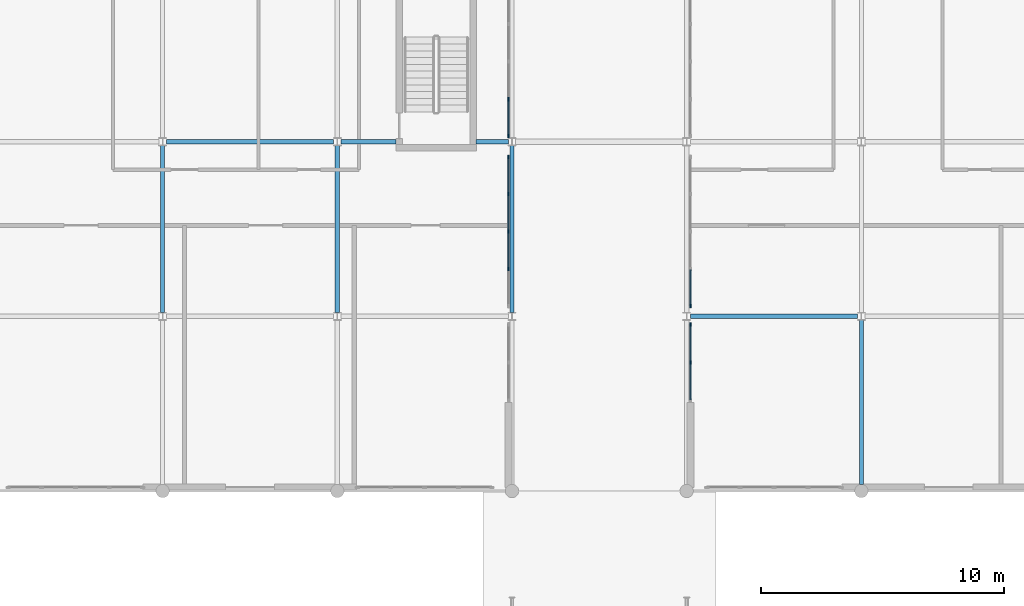
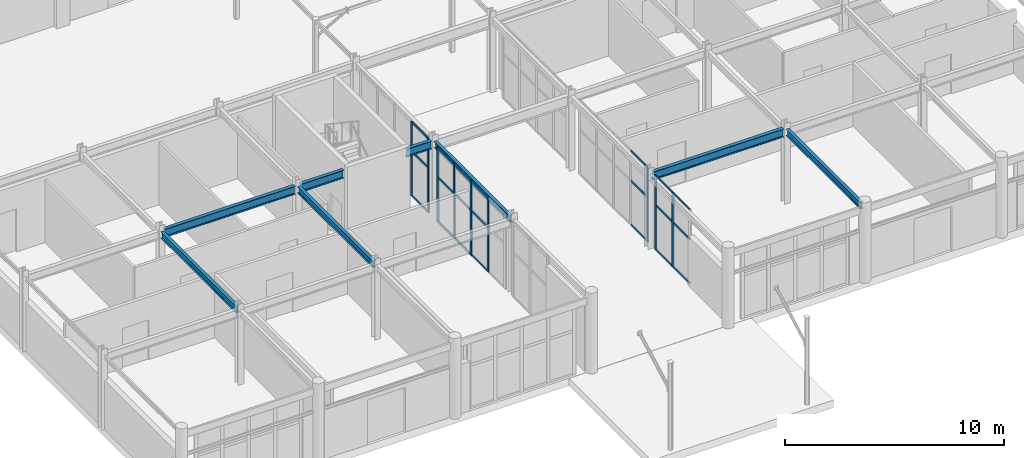
# One storey, part 28 of 85: 30 members, 8 beams, 4 elements without a shape of their own.
"""IFC4 building model written with IfcOpenShell, lengths in metres."""

from ifc_helpers import new_model, si_unit, direction, frame, origin, origin_2d, place, context, subcontext, project, spatial, rectangle, i_section, extrude, material, layer, layer_set, material_profile, profile_set, type_object, element, aggregate, save


model = new_model("IFC4")

# Units and contexts
model_context = context("Model", 3, precision=1e-05, world=origin(), true_north=direction((0.0, 1.0)))
body_context = subcontext(model_context, "Body", "Model", "MODEL_VIEW")
ifc_project = project(units=[si_unit("LENGTHUNIT", "METRE"), si_unit("AREAUNIT", "SQUARE_METRE"), si_unit("VOLUMEUNIT", "CUBIC_METRE"), si_unit("PLANEANGLEUNIT", "RADIAN"), si_unit("MASSUNIT", "GRAM", prefix="KILO")], contexts=[model_context])

# Site, building, storey
site_placement = place(None, origin())
site = spatial("IfcSite", under=ifc_project, at=site_placement, CompositionType="ELEMENT")
building_placement = place(site_placement, origin())
building = spatial("IfcBuilding", under=site, at=building_placement, Name="Ochrevale Crest", CompositionType="ELEMENT")
storey_placement = place(building_placement, origin())
storey = spatial("IfcBuildingStorey", under=building, at=storey_placement, Name="L00", CompositionType="ELEMENT", Elevation=0.0)

# Beams
ifc_material_1 = material(Name="Steel S355", Category="steel")
ifc_material_profile_1 = material_profile(ifc_material_1, i_section(OverallWidth=0.172119140625, OverallDepth=0.358642578125, WebThickness=0.008056640625, FlangeThickness=0.012939453125, FilletRadius=0.011474609375, at=origin_2d()), Name="360UB56.7")
ifc_profile_set_1 = profile_set([ifc_material_profile_1], Name="Steel S355")
beam_type_1 = type_object("IfcBeamType", Name="BM-UB360B", PredefinedType="BEAM", material=ifc_profile_set_1)
for number, where, z_axis, x_axis, name in (
    (1, (64.800048828125, 14.550048828125, 3.99560546875), (0.0, 1.0, 0.0), (-1.0, 0.0, 0.0), "Retail arcade L00 N-S beam X=64.8"),
    (2, (72.0, 14.550048828125, 3.99560546875), (0.0, 1.0, 0.0), (-1.0, 0.0, 0.0), "Retail arcade L00 N-S beam X=72.0"),
    (3, (79.199951171875, 14.550048828125, 3.99560546875), (0.0, 1.0, 0.0), (-1.0, 0.0, 0.0), "Retail arcade L00 N-S beam X=79.2"),
):
    element("IfcBeam", number, at=place(storey_placement, frame(where, z_axis=z_axis, x_axis=x_axis)), inside=storey, type_object=beam_type_1, Name=name, PredefinedType="BEAM", context=body_context, shape_type="SweptSolid", body=[
        extrude(i_section(OverallWidth=0.172119140625, OverallDepth=0.358642578125, WebThickness=0.008056640625, FlangeThickness=0.012939453125, FilletRadius=0.011474609375, at=origin_2d()), origin(), (0.0, 0.0, 1.0), 6.89990234375),
    ])
beam_1_placement = place(storey_placement, frame((93.60009765625, 7.469970703125, 3.99560546875), z_axis=(0.0, 1.0, 0.0), x_axis=(-1.0, 0.0, 0.0)))
element("IfcBeam", 4, at=beam_1_placement, inside=storey, type_object=beam_type_1, Name="Retail arcade L00 N-S beam X=93.6", PredefinedType="BEAM", context=body_context, shape_type="SweptSolid", body=[
    extrude(i_section(OverallWidth=0.172119140625, OverallDepth=0.358642578125, WebThickness=0.008056640625, FlangeThickness=0.012939453125, FilletRadius=0.011474609375, at=origin_2d()), origin(), (0.0, 0.0, 1.0), 6.780029296875),
])
ifc_material_profile_2 = material_profile(ifc_material_1, i_section(OverallWidth=0.18994140625, OverallDepth=0.453857421875, WebThickness=0.008544921875, FlangeThickness=0.0126953125, FilletRadius=0.011474609375, at=origin_2d()), Name="460UB67.1")
ifc_profile_set_2 = profile_set([ifc_material_profile_2], Name="Steel S355")
beam_type_2 = type_object("IfcBeamType", Name="BM-UB460", PredefinedType="USERDEFINED", material=ifc_profile_set_2)
beam_2_placement = place(storey_placement, frame((86.550048828125, 14.39990234375, 3.947998046875), z_axis=(1.0, 0.0, 0.0), x_axis=(0.0, 1.0, 0.0)))
element("IfcBeam", 5, at=beam_2_placement, inside=storey, type_object=beam_type_2, Name="Retail arcade L00 E-W beam Y=14.4", ObjectType="GIRDER", PredefinedType="USERDEFINED", context=body_context, shape_type="SweptSolid", body=[
    extrude(i_section(OverallWidth=0.18994140625, OverallDepth=0.453857421875, WebThickness=0.008544921875, FlangeThickness=0.0126953125, FilletRadius=0.011474609375, at=origin_2d()), origin(), (0.0, 0.0, 1.0), 6.89990234375),
])
beam_3_placement = place(storey_placement, frame((64.949951171875, 21.60009765625, 3.947998046875), z_axis=(1.0, 0.0, 0.0), x_axis=(0.0, 1.0, 0.0)))
element("IfcBeam", 6, at=beam_3_placement, inside=storey, type_object=beam_type_2, Name="Retail arcade L00 E-W beam Y=21.6", ObjectType="GIRDER", PredefinedType="USERDEFINED", context=body_context, shape_type="SweptSolid", body=[
    extrude(i_section(OverallWidth=0.18994140625, OverallDepth=0.453857421875, WebThickness=0.008544921875, FlangeThickness=0.0126953125, FilletRadius=0.011474609375, at=origin_2d()), origin(), (0.0, 0.0, 1.0), 6.900146484375),
])
beam_4_placement = place(storey_placement, frame((72.14990234375, 21.60009765625, 3.947998046875), z_axis=(1.0, 0.0, 0.0), x_axis=(0.0, 1.0, 0.0)))
element("IfcBeam", 7, at=beam_4_placement, inside=storey, type_object=beam_type_2, Name="Retail arcade L00 E-W beam Y=21.6", ObjectType="GIRDER", PredefinedType="USERDEFINED", context=body_context, shape_type="SweptSolid", body=[
    extrude(i_section(OverallWidth=0.18994140625, OverallDepth=0.453857421875, WebThickness=0.008544921875, FlangeThickness=0.0126953125, FilletRadius=0.011474609375, at=origin_2d()), origin(), (0.0, 0.0, 1.0), 2.275146484375),
])
beam_5_placement = place(storey_placement, frame((77.72509765625, 21.60009765625, 3.947998046875), z_axis=(1.0, 0.0, 0.0), x_axis=(0.0, 1.0, 0.0)))
element("IfcBeam", 8, at=beam_5_placement, inside=storey, type_object=beam_type_2, Name="Retail arcade L00 E-W beam Y=21.6", ObjectType="GIRDER", PredefinedType="USERDEFINED", context=body_context, shape_type="SweptSolid", body=[
    extrude(i_section(OverallWidth=0.18994140625, OverallDepth=0.453857421875, WebThickness=0.008544921875, FlangeThickness=0.0126953125, FilletRadius=0.011474609375, at=origin_2d()), origin(), (0.0, 0.0, 1.0), 1.324951171875),
])

# Curtain wall, members
ifc_material_2 = material(Name="Anodised aluminium 6063-T5", Category="aluminium")
ifc_layer_1 = layer(ifc_material_2, 0.14990234375)
ifc_layer_set_1 = layer_set([ifc_layer_1], Name="Anodised aluminium 6063-T5")
curtain_wall_type_1 = type_object("IfcCurtainWallType", Name="CW-PAS-620x410", PredefinedType="NOTDEFINED", material=ifc_layer_set_1)
curtain_wall_1_placement = place(storey_placement, origin())
curtain_wall_1 = element("IfcCurtainWall", 9, at=curtain_wall_1_placement, inside=storey, type_object=curtain_wall_type_1, Name="Covered public passage W shopfront glazing 2", PredefinedType="NOTDEFINED")
ifc_material_profile_3 = material_profile(ifc_material_2, rectangle(XDim=0.06494140625, YDim=0.14990234375, at=origin_2d()), Name="ALU 65x150")
ifc_profile_set_3 = profile_set([ifc_material_profile_3], Name="Anodised aluminium 6063-T5")
member_type_1 = type_object("IfcMemberType", Name="CW-MUL-65x150", PredefinedType="MULLION", material=ifc_profile_set_3)
member_1_placement = place(storey_placement, frame((79.050048828125, 16.35009765625, 0.0), z_axis=(0.0, 0.0, 1.0), x_axis=(-1.0, 0.0, 0.0)))
member_1 = element("IfcMember", 10, at=member_1_placement, type_object=member_type_1, Name="CW05 mullion 2", PredefinedType="MULLION", context=body_context, shape_type="SweptSolid", body=[
    extrude(rectangle(XDim=0.06494140625, YDim=0.14990234375, at=origin_2d()), origin(), (0.0, 0.0, 1.0), 4.14990234375),
])
member_2_placement = place(storey_placement, frame((79.050048828125, 17.89990234375, 0.0), z_axis=(0.0, 0.0, 1.0), x_axis=(-1.0, 0.0, 0.0)))
member_2 = element("IfcMember", 11, at=member_2_placement, type_object=member_type_1, Name="CW05 mullion 3", PredefinedType="MULLION", context=body_context, shape_type="SweptSolid", body=[
    extrude(rectangle(XDim=0.06494140625, YDim=0.14990234375, at=origin_2d()), origin(), (0.0, 0.0, 1.0), 4.14990234375),
])
member_3_placement = place(storey_placement, frame((79.050048828125, 19.449951171875, 0.0), z_axis=(0.0, 0.0, 1.0), x_axis=(-1.0, 0.0, 0.0)))
member_3 = element("IfcMember", 12, at=member_3_placement, type_object=member_type_1, Name="CW05 mullion 4", PredefinedType="MULLION", context=body_context, shape_type="SweptSolid", body=[
    extrude(rectangle(XDim=0.06494140625, YDim=0.14990234375, at=origin_2d()), origin(), (0.0, 0.0, 1.0), 4.14990234375),
])
member_4_placement = place(storey_placement, frame((79.050048828125, 20.967529296875, 0.0), z_axis=(0.0, 0.0, 1.0), x_axis=(-1.0, 0.0, 0.0)))
member_4 = element("IfcMember", 13, at=member_4_placement, type_object=member_type_1, Name="CW05 mullion 5", PredefinedType="MULLION", context=body_context, shape_type="SweptSolid", body=[
    extrude(rectangle(XDim=0.06494140625, YDim=0.14990234375, at=origin_2d()), origin(), (0.0, 0.0, 1.0), 4.14990234375),
])

curtain_wall_2_placement = place(storey_placement, origin())
curtain_wall_2 = element("IfcCurtainWall", 14, at=curtain_wall_2_placement, inside=storey, type_object=curtain_wall_type_1, Name="Covered public passage W shopfront glazing 3", PredefinedType="NOTDEFINED")
member_5_placement = place(storey_placement, frame((79.050048828125, 21.83251953125, 0.0), z_axis=(0.0, 0.0, 1.0), x_axis=(-1.0, 0.0, 0.0)))
member_5 = element("IfcMember", 15, at=member_5_placement, type_object=member_type_1, Name="CW05 mullion 1", PredefinedType="MULLION", context=body_context, shape_type="SweptSolid", body=[
    extrude(rectangle(XDim=0.06494140625, YDim=0.14990234375, at=origin_2d()), origin(), (0.0, 0.0, 1.0), 4.14990234375),
])
member_6_placement = place(storey_placement, frame((79.050048828125, 23.35009765625, 0.0), z_axis=(0.0, 0.0, 1.0), x_axis=(-1.0, 0.0, 0.0)))
member_6 = element("IfcMember", 16, at=member_6_placement, type_object=member_type_1, Name="CW05 mullion 2", PredefinedType="MULLION", context=body_context, shape_type="SweptSolid", body=[
    extrude(rectangle(XDim=0.06494140625, YDim=0.14990234375, at=origin_2d()), origin(), (0.0, 0.0, 1.0), 4.14990234375),
])

ifc_layer_2 = layer(ifc_material_2, 0.14990234375)
ifc_layer_set_2 = layer_set([ifc_layer_2], Name="Anodised aluminium 6063-T5")
curtain_wall_type_2 = type_object("IfcCurtainWallType", Name="CW-PAS-320x410", PredefinedType="NOTDEFINED", material=ifc_layer_set_2)
curtain_wall_3_placement = place(storey_placement, origin())
curtain_wall_3 = element("IfcCurtainWall", 17, at=curtain_wall_3_placement, inside=storey, type_object=curtain_wall_type_2, Name="Covered public passage E shopfront glazing 1", PredefinedType="NOTDEFINED")
member_7_placement = place(storey_placement, frame((86.550048828125, 12.5, 0.0), z_axis=(0.0, 0.0, 1.0), x_axis=(-1.0, 0.0, 0.0)))
member_7 = element("IfcMember", 18, at=member_7_placement, type_object=member_type_1, Name="CW04 mullion 2", PredefinedType="MULLION", context=body_context, shape_type="SweptSolid", body=[
    extrude(rectangle(XDim=0.06494140625, YDim=0.14990234375, at=origin_2d()), origin(), (0.0, 0.0, 1.0), 4.14990234375),
])
member_8_placement = place(storey_placement, frame((86.550048828125, 14.0673828125, 0.0), z_axis=(0.0, 0.0, 1.0), x_axis=(-1.0, 0.0, 0.0)))
member_8 = element("IfcMember", 19, at=member_8_placement, type_object=member_type_1, Name="CW04 mullion 3", PredefinedType="MULLION", context=body_context, shape_type="SweptSolid", body=[
    extrude(rectangle(XDim=0.06494140625, YDim=0.14990234375, at=origin_2d()), origin(), (0.0, 0.0, 1.0), 4.14990234375),
])

# Curtain wall, member
curtain_wall_4_placement = place(storey_placement, origin())
curtain_wall_4 = element("IfcCurtainWall", 20, at=curtain_wall_4_placement, inside=storey, type_object=curtain_wall_type_1, Name="Covered public passage E shopfront glazing 2", PredefinedType="NOTDEFINED")
member_9_placement = place(storey_placement, frame((86.550048828125, 14.83251953125, 0.0), z_axis=(0.0, 0.0, 1.0), x_axis=(-1.0, 0.0, 0.0)))
member_9 = element("IfcMember", 21, at=member_9_placement, type_object=member_type_1, Name="CW05 mullion 1", PredefinedType="MULLION", context=body_context, shape_type="SweptSolid", body=[
    extrude(rectangle(XDim=0.06494140625, YDim=0.14990234375, at=origin_2d()), origin(), (0.0, 0.0, 1.0), 4.14990234375),
])

# Member
ifc_material_profile_4 = material_profile(ifc_material_2, rectangle(XDim=0.06005859375, YDim=0.1201171875, at=origin_2d()), Name="ALU 60x120")
ifc_profile_set_4 = profile_set([ifc_material_profile_4], Name="Anodised aluminium 6063-T5")
member_type_2 = type_object("IfcMemberType", Name="CW-TRN-60x120", PredefinedType="USERDEFINED", material=ifc_profile_set_4)
member_10_placement = place(storey_placement, frame((79.050048828125, 16.382568359375, 0.030029296875), z_axis=(0.0, 1.0, 0.0), x_axis=(-1.0, 0.0, 0.0)))
member_10 = element("IfcMember", 22, at=member_10_placement, type_object=member_type_2, Name="CW05 transom 2.1", ObjectType="TRANSOM", PredefinedType="USERDEFINED", context=body_context, shape_type="SweptSolid", body=[
    extrude(rectangle(XDim=0.06005859375, YDim=0.1201171875, at=origin_2d()), origin(), (0.0, 0.0, 1.0), 1.48486328125),
])

member_11_placement = place(storey_placement, frame((79.050048828125, 16.382568359375, 2.5), z_axis=(0.0, 1.0, 0.0), x_axis=(-1.0, 0.0, 0.0)))
member_11 = element("IfcMember", 23, at=member_11_placement, type_object=member_type_2, Name="CW05 transom 2.2", ObjectType="TRANSOM", PredefinedType="USERDEFINED", context=body_context, shape_type="SweptSolid", body=[
    extrude(rectangle(XDim=0.06005859375, YDim=0.1201171875, at=origin_2d()), origin(), (0.0, 0.0, 1.0), 1.48486328125),
])

member_12_placement = place(storey_placement, frame((79.050048828125, 16.382568359375, 4.1201171875), z_axis=(0.0, 1.0, 0.0), x_axis=(-1.0, 0.0, 0.0)))
member_12 = element("IfcMember", 24, at=member_12_placement, type_object=member_type_2, Name="CW05 transom 2.3", ObjectType="TRANSOM", PredefinedType="USERDEFINED", context=body_context, shape_type="SweptSolid", body=[
    extrude(rectangle(XDim=0.06005859375, YDim=0.1201171875, at=origin_2d()), origin(), (0.0, 0.0, 1.0), 1.48486328125),
])

member_13_placement = place(storey_placement, frame((79.050048828125, 17.9326171875, 0.030029296875), z_axis=(0.0, 1.0, 0.0), x_axis=(-1.0, 0.0, 0.0)))
member_13 = element("IfcMember", 25, at=member_13_placement, type_object=member_type_2, Name="CW05 transom 3.1", ObjectType="TRANSOM", PredefinedType="USERDEFINED", context=body_context, shape_type="SweptSolid", body=[
    extrude(rectangle(XDim=0.06005859375, YDim=0.1201171875, at=origin_2d()), origin(), (0.0, 0.0, 1.0), 1.48486328125),
])

member_14_placement = place(storey_placement, frame((79.050048828125, 17.9326171875, 2.5), z_axis=(0.0, 1.0, 0.0), x_axis=(-1.0, 0.0, 0.0)))
member_14 = element("IfcMember", 26, at=member_14_placement, type_object=member_type_2, Name="CW05 transom 3.2", ObjectType="TRANSOM", PredefinedType="USERDEFINED", context=body_context, shape_type="SweptSolid", body=[
    extrude(rectangle(XDim=0.06005859375, YDim=0.1201171875, at=origin_2d()), origin(), (0.0, 0.0, 1.0), 1.48486328125),
])

member_15_placement = place(storey_placement, frame((79.050048828125, 17.9326171875, 4.1201171875), z_axis=(0.0, 1.0, 0.0), x_axis=(-1.0, 0.0, 0.0)))
member_15 = element("IfcMember", 27, at=member_15_placement, type_object=member_type_2, Name="CW05 transom 3.3", ObjectType="TRANSOM", PredefinedType="USERDEFINED", context=body_context, shape_type="SweptSolid", body=[
    extrude(rectangle(XDim=0.06005859375, YDim=0.1201171875, at=origin_2d()), origin(), (0.0, 0.0, 1.0), 1.48486328125),
])

member_16_placement = place(storey_placement, frame((79.050048828125, 19.482421875, 0.030029296875), z_axis=(0.0, 1.0, 0.0), x_axis=(-1.0, 0.0, 0.0)))
member_16 = element("IfcMember", 28, at=member_16_placement, type_object=member_type_2, Name="CW05 transom 4.1", ObjectType="TRANSOM", PredefinedType="USERDEFINED", context=body_context, shape_type="SweptSolid", body=[
    extrude(rectangle(XDim=0.06005859375, YDim=0.1201171875, at=origin_2d()), origin(), (0.0, 0.0, 1.0), 1.45263671875),
])

member_17_placement = place(storey_placement, frame((79.050048828125, 19.482421875, 2.5), z_axis=(0.0, 1.0, 0.0), x_axis=(-1.0, 0.0, 0.0)))
member_17 = element("IfcMember", 29, at=member_17_placement, type_object=member_type_2, Name="CW05 transom 4.2", ObjectType="TRANSOM", PredefinedType="USERDEFINED", context=body_context, shape_type="SweptSolid", body=[
    extrude(rectangle(XDim=0.06005859375, YDim=0.1201171875, at=origin_2d()), origin(), (0.0, 0.0, 1.0), 1.45263671875),
])

member_18_placement = place(storey_placement, frame((79.050048828125, 19.482421875, 4.1201171875), z_axis=(0.0, 1.0, 0.0), x_axis=(-1.0, 0.0, 0.0)))
member_18 = element("IfcMember", 30, at=member_18_placement, type_object=member_type_2, Name="CW05 transom 4.3", ObjectType="TRANSOM", PredefinedType="USERDEFINED", context=body_context, shape_type="SweptSolid", body=[
    extrude(rectangle(XDim=0.06005859375, YDim=0.1201171875, at=origin_2d()), origin(), (0.0, 0.0, 1.0), 1.45263671875),
])

aggregate(curtain_wall_1, [member_1, member_2, member_3, member_4, member_10, member_11, member_12, member_13, member_14, member_15, member_16, member_17, member_18])

member_19_placement = place(storey_placement, frame((79.050048828125, 21.864990234375, 0.030029296875), z_axis=(0.0, 1.0, 0.0), x_axis=(-1.0, 0.0, 0.0)))
member_19 = element("IfcMember", 31, at=member_19_placement, type_object=member_type_2, Name="CW05 transom 1.1", ObjectType="TRANSOM", PredefinedType="USERDEFINED", context=body_context, shape_type="SweptSolid", body=[
    extrude(rectangle(XDim=0.06005859375, YDim=0.1201171875, at=origin_2d()), origin(), (0.0, 0.0, 1.0), 1.452392578125),
])

member_20_placement = place(storey_placement, frame((79.050048828125, 21.864990234375, 2.5), z_axis=(0.0, 1.0, 0.0), x_axis=(-1.0, 0.0, 0.0)))
member_20 = element("IfcMember", 32, at=member_20_placement, type_object=member_type_2, Name="CW05 transom 1.2", ObjectType="TRANSOM", PredefinedType="USERDEFINED", context=body_context, shape_type="SweptSolid", body=[
    extrude(rectangle(XDim=0.06005859375, YDim=0.1201171875, at=origin_2d()), origin(), (0.0, 0.0, 1.0), 1.452392578125),
])

member_21_placement = place(storey_placement, frame((79.050048828125, 21.864990234375, 4.1201171875), z_axis=(0.0, 1.0, 0.0), x_axis=(-1.0, 0.0, 0.0)))
member_21 = element("IfcMember", 33, at=member_21_placement, type_object=member_type_2, Name="CW05 transom 1.3", ObjectType="TRANSOM", PredefinedType="USERDEFINED", context=body_context, shape_type="SweptSolid", body=[
    extrude(rectangle(XDim=0.06005859375, YDim=0.1201171875, at=origin_2d()), origin(), (0.0, 0.0, 1.0), 1.452392578125),
])

aggregate(curtain_wall_2, [member_5, member_6, member_19, member_20, member_21])

member_22_placement = place(storey_placement, frame((86.550048828125, 10.965087890625, 0.030029296875), z_axis=(0.0, 1.0, 0.0), x_axis=(-1.0, 0.0, 0.0)))
member_22 = element("IfcMember", 34, at=member_22_placement, type_object=member_type_2, Name="CW04 transom 1.1", ObjectType="TRANSOM", PredefinedType="USERDEFINED", context=body_context, shape_type="SweptSolid", body=[
    extrude(rectangle(XDim=0.06005859375, YDim=0.1201171875, at=origin_2d()), origin(), (0.0, 0.0, 1.0), 1.50244140625),
])

member_23_placement = place(storey_placement, frame((86.550048828125, 10.965087890625, 2.5), z_axis=(0.0, 1.0, 0.0), x_axis=(-1.0, 0.0, 0.0)))
member_23 = element("IfcMember", 35, at=member_23_placement, type_object=member_type_2, Name="CW04 transom 1.2", ObjectType="TRANSOM", PredefinedType="USERDEFINED", context=body_context, shape_type="SweptSolid", body=[
    extrude(rectangle(XDim=0.06005859375, YDim=0.1201171875, at=origin_2d()), origin(), (0.0, 0.0, 1.0), 1.50244140625),
])

member_24_placement = place(storey_placement, frame((86.550048828125, 10.965087890625, 4.1201171875), z_axis=(0.0, 1.0, 0.0), x_axis=(-1.0, 0.0, 0.0)))
member_24 = element("IfcMember", 36, at=member_24_placement, type_object=member_type_2, Name="CW04 transom 1.3", ObjectType="TRANSOM", PredefinedType="USERDEFINED", context=body_context, shape_type="SweptSolid", body=[
    extrude(rectangle(XDim=0.06005859375, YDim=0.1201171875, at=origin_2d()), origin(), (0.0, 0.0, 1.0), 1.50244140625),
])

member_25_placement = place(storey_placement, frame((86.550048828125, 12.532470703125, 0.030029296875), z_axis=(0.0, 1.0, 0.0), x_axis=(-1.0, 0.0, 0.0)))
member_25 = element("IfcMember", 37, at=member_25_placement, type_object=member_type_2, Name="CW04 transom 2.1", ObjectType="TRANSOM", PredefinedType="USERDEFINED", context=body_context, shape_type="SweptSolid", body=[
    extrude(rectangle(XDim=0.06005859375, YDim=0.1201171875, at=origin_2d()), origin(), (0.0, 0.0, 1.0), 1.50244140625),
])

member_26_placement = place(storey_placement, frame((86.550048828125, 12.532470703125, 2.5), z_axis=(0.0, 1.0, 0.0), x_axis=(-1.0, 0.0, 0.0)))
member_26 = element("IfcMember", 38, at=member_26_placement, type_object=member_type_2, Name="CW04 transom 2.2", ObjectType="TRANSOM", PredefinedType="USERDEFINED", context=body_context, shape_type="SweptSolid", body=[
    extrude(rectangle(XDim=0.06005859375, YDim=0.1201171875, at=origin_2d()), origin(), (0.0, 0.0, 1.0), 1.50244140625),
])

member_27_placement = place(storey_placement, frame((86.550048828125, 12.532470703125, 4.1201171875), z_axis=(0.0, 1.0, 0.0), x_axis=(-1.0, 0.0, 0.0)))
member_27 = element("IfcMember", 39, at=member_27_placement, type_object=member_type_2, Name="CW04 transom 2.3", ObjectType="TRANSOM", PredefinedType="USERDEFINED", context=body_context, shape_type="SweptSolid", body=[
    extrude(rectangle(XDim=0.06005859375, YDim=0.1201171875, at=origin_2d()), origin(), (0.0, 0.0, 1.0), 1.50244140625),
])

aggregate(curtain_wall_3, [member_7, member_8, member_22, member_23, member_24, member_25, member_26, member_27])

member_28_placement = place(storey_placement, frame((86.550048828125, 14.864990234375, 0.030029296875), z_axis=(0.0, 1.0, 0.0), x_axis=(-1.0, 0.0, 0.0)))
member_28 = element("IfcMember", 40, at=member_28_placement, type_object=member_type_2, Name="CW05 transom 1.1", ObjectType="TRANSOM", PredefinedType="USERDEFINED", context=body_context, shape_type="SweptSolid", body=[
    extrude(rectangle(XDim=0.06005859375, YDim=0.1201171875, at=origin_2d()), origin(), (0.0, 0.0, 1.0), 1.452392578125),
])

member_29_placement = place(storey_placement, frame((86.550048828125, 14.864990234375, 2.5), z_axis=(0.0, 1.0, 0.0), x_axis=(-1.0, 0.0, 0.0)))
member_29 = element("IfcMember", 41, at=member_29_placement, type_object=member_type_2, Name="CW05 transom 1.2", ObjectType="TRANSOM", PredefinedType="USERDEFINED", context=body_context, shape_type="SweptSolid", body=[
    extrude(rectangle(XDim=0.06005859375, YDim=0.1201171875, at=origin_2d()), origin(), (0.0, 0.0, 1.0), 1.452392578125),
])

member_30_placement = place(storey_placement, frame((86.550048828125, 14.864990234375, 4.1201171875), z_axis=(0.0, 1.0, 0.0), x_axis=(-1.0, 0.0, 0.0)))
member_30 = element("IfcMember", 42, at=member_30_placement, type_object=member_type_2, Name="CW05 transom 1.3", ObjectType="TRANSOM", PredefinedType="USERDEFINED", context=body_context, shape_type="SweptSolid", body=[
    extrude(rectangle(XDim=0.06005859375, YDim=0.1201171875, at=origin_2d()), origin(), (0.0, 0.0, 1.0), 1.452392578125),
])

aggregate(curtain_wall_4, [member_9, member_28, member_29, member_30])

save(model, "model.ifc")
